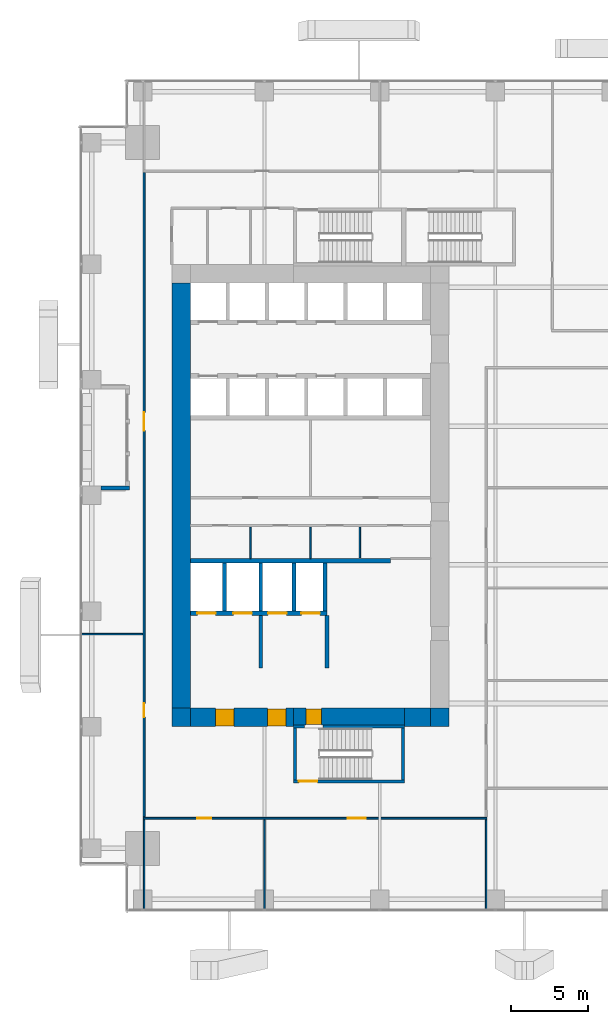
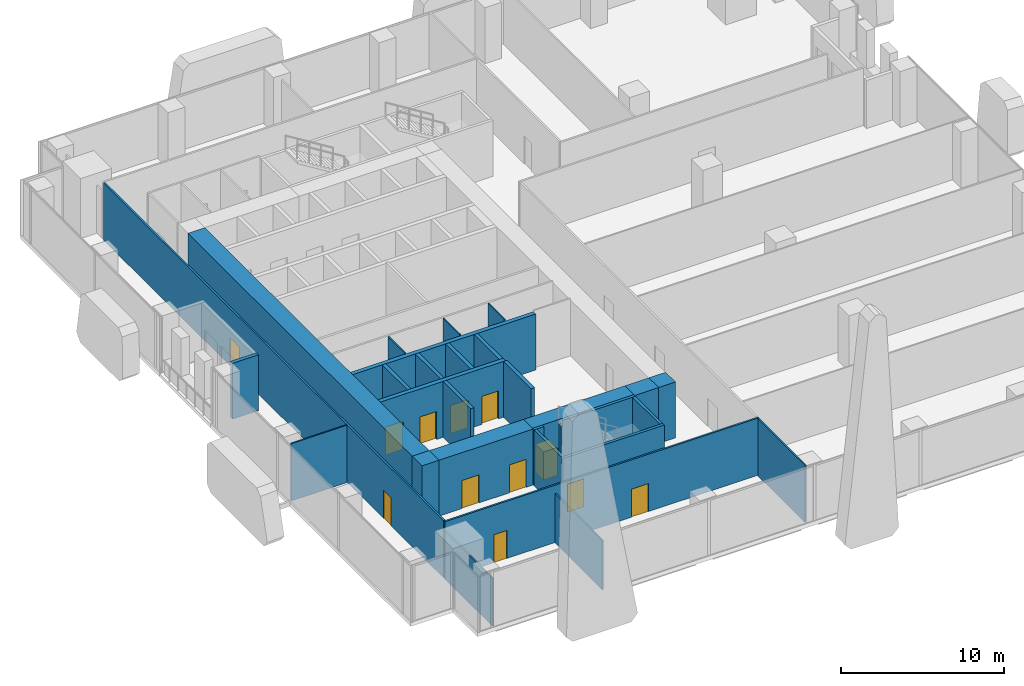
# One storey, part 27 of 35: 29 walls, 12 doors, 12 openings.
"""IFC4 building model written with IfcOpenShell, lengths in metres."""

from ifc_helpers import new_model, si_unit, direction, frame, frame_2d, origin, place, context, subcontext, project, spatial, rectangle, extrude, source, transform, mapped, material, layer, layer_set, type_object, element, fill, save


model = new_model("IFC4")

# Units and contexts
model_context = context("Model", 3, precision=1e-05, world=origin(), true_north=direction((0.0, 1.0)))
body_context = subcontext(model_context, "Body", "Model", "MODEL_VIEW")
ifc_project = project(units=[si_unit("LENGTHUNIT", "METRE"), si_unit("AREAUNIT", "SQUARE_METRE"), si_unit("VOLUMEUNIT", "CUBIC_METRE"), si_unit("PLANEANGLEUNIT", "RADIAN"), si_unit("MASSUNIT", "GRAM", prefix="KILO")], contexts=[model_context])

# Site, building, storey
site_placement = place(None, origin())
site = spatial("IfcSite", under=ifc_project, at=site_placement, CompositionType="ELEMENT")
building_placement = place(site_placement, origin())
building = spatial("IfcBuilding", under=site, at=building_placement, Name="Khomas Fold Tower", CompositionType="ELEMENT")
storey_placement = place(building_placement, frame((0.0, 0.0, 69.0)))
storey = spatial("IfcBuildingStorey", under=building, at=storey_placement, Name="L14", CompositionType="ELEMENT", Elevation=69.0)

# Wall, openings, doors
ifc_material_1 = material(Name="Concrete C70/85", Category="concrete")
ifc_layer_1 = layer(ifc_material_1, 1.199951171875)
ifc_layer_set_1 = layer_set([ifc_layer_1], Name="Concrete C70/85")
wall_type_1 = type_object("IfcWallType", Name="Core wall 1200", PredefinedType="SHEAR", material=ifc_layer_set_1)
shared_shape_1 = source(origin(), body_context, "Body", "SweptSolid", [
    extrude(rectangle(XDim=6.699951171875, YDim=1.199951171875, at=frame_2d((3.35009765625, 0.0))), origin(), (0.0, 0.0, 1.0), 4.199951171875),
])
wall_1_placement = place(storey_placement, frame((7.199951171875, 12.60009765625, 0.0), z_axis=(0.0, 0.0, 1.0), x_axis=(1.0, 0.0, 0.0)))
wall_1 = element("IfcWall", 1, at=wall_1_placement, inside=storey, type_object=wall_type_1, Name="Core wall CW-L-S-B2", PredefinedType="SHEAR", context=body_context, shape_type="MappedRepresentation", body=[
    mapped(shared_shape_1, transform((0.0, 0.0, 0.0))),
])
shared_shape_2 = source(origin(), body_context, "Body", "SweptSolid", [
    extrude(rectangle(XDim=1.199951171875, YDim=2.10009765625, at=frame_2d((0.60009765625, 1.050048828125))), frame((0.0, 0.60986328125, 0.0), z_axis=(0.0, -1.0, 0.0), x_axis=(1.0, 0.0, 0.0)), (0.0, 0.0, 1.0), 1.219970703125),
])
opening_1_placement = place(wall_1_placement, frame((5.0, 0.0, 0.0)))
opening_1 = element("IfcOpeningElement", 2, at=opening_1_placement, cuts=wall_1, Name="Opening 0009", PredefinedType="OPENING", context=body_context, shape_type="MappedRepresentation", body=[
    mapped(shared_shape_2, transform((0.0, 0.0, 0.0))),
])
opening_2_placement = place(wall_1_placement, frame((1.64990234375, 0.0, 0.0)))
opening_2 = element("IfcOpeningElement", 3, at=opening_2_placement, cuts=wall_1, Name="Opening 0009", PredefinedType="OPENING", context=body_context, shape_type="MappedRepresentation", body=[
    mapped(shared_shape_2, transform((0.0, 0.0, 0.0))),
])
ifc_material_2 = material(Name="Steel door leaf", Category="steel")
door_type_1 = type_object("IfcDoorType", Name="Lobby door 1200x2100 right-hand", OperationType="SINGLE_SWING_RIGHT", PredefinedType="DOOR", material=ifc_material_2)
shared_shape_3 = source(origin(), body_context, "Body", "SweptSolid", [
    extrude(rectangle(XDim=1.199951171875, YDim=2.10009765625, at=frame_2d((0.60009765625, 1.050048828125))), frame((0.0, 0.5498046875, 0.0), z_axis=(0.0, -1.0, 0.0), x_axis=(1.0, 0.0, 0.0)), (0.0, 0.0, 1.0), 1.099853515625),
])
door_1_placement = place(opening_1_placement, origin())
door_1 = element("IfcDoor", 4, at=door_1_placement, inside=storey, type_object=door_type_1, Name="Lobby door", OperationType="SINGLE_SWING_RIGHT", OverallHeight=2.10009765625, OverallWidth=1.199951171875, PredefinedType="DOOR", context=body_context, shape_type="MappedRepresentation", body=[
    mapped(shared_shape_3, transform((0.0, 0.0, 0.0))),
])
fill(opening_1, door_1)
door_2_placement = place(opening_2_placement, origin())
door_2 = element("IfcDoor", 5, at=door_2_placement, inside=storey, type_object=door_type_1, Name="Lobby door", OperationType="SINGLE_SWING_RIGHT", OverallHeight=2.10009765625, OverallWidth=1.199951171875, PredefinedType="DOOR", context=body_context, shape_type="MappedRepresentation", body=[
    mapped(shared_shape_3, transform((0.0, 0.0, 0.0))),
])
fill(opening_2, door_2)

# Walls
ifc_material_3 = material(Name="Concrete C70/85", Category="concrete")
ifc_layer_2 = layer(ifc_material_3, 1.199951171875)
ifc_layer_set_2 = layer_set([ifc_layer_2], Name="Concrete C70/85")
wall_type_2 = type_object("IfcWallType", Name="Core corner wall 1200", PredefinedType="SHEAR", material=ifc_layer_set_2)
shared_shape_4 = source(origin(), body_context, "Body", "SweptSolid", [
    extrude(rectangle(XDim=1.199951171875, YDim=1.199951171875, at=frame_2d((0.60009765625, 0.0))), origin(), (0.0, 0.0, 1.0), 4.199951171875),
])
for number, where, z_axis, x_axis, name in (
    (6, (22.800048828125, 12.60009765625, 0.0), (0.0, 0.0, 1.0), (1.0, 0.0, 0.0), "Core wall CW-L-SE-B2"),
    (7, (6.0, 12.60009765625, 0.0), (0.0, 0.0, 1.0), (1.0, 0.0, 0.0), "Core wall CW-L-SW-B2"),
):
    element("IfcWall", number, at=place(storey_placement, frame(where, z_axis=z_axis, x_axis=x_axis)), inside=storey, type_object=wall_type_2, Name=name, PredefinedType="SHEAR", context=body_context, shape_type="MappedRepresentation", body=[
        mapped(shared_shape_4, transform((0.0, 0.0, 0.0))),
    ])

# Wall, opening, door
ifc_material_4 = material(Name="Concrete C70/85", Category="concrete")
ifc_layer_3 = layer(ifc_material_4, 1.10009765625)
ifc_layer_set_3 = layer_set([ifc_layer_3], Name="Concrete C70/85")
wall_type_3 = type_object("IfcWallType", Name="Core wall 1100", PredefinedType="SHEAR", material=ifc_layer_set_3)
shared_shape_5 = source(origin(), body_context, "Body", "SweptSolid", [
    extrude(rectangle(XDim=7.2001953125, YDim=1.10009765625, at=frame_2d((3.60009765625, 0.0))), origin(), (0.0, 0.0, 1.0), 4.199951171875),
])
wall_2_placement = place(storey_placement, frame((13.89990234375, 12.64990234375, 0.0), z_axis=(0.0, 0.0, 1.0), x_axis=(1.0, 0.0, 0.0)))
wall_2 = element("IfcWall", 8, at=wall_2_placement, inside=storey, type_object=wall_type_3, Name="Core wall CW-L-S-B2-1", PredefinedType="SHEAR", context=body_context, shape_type="MappedRepresentation", body=[
    mapped(shared_shape_5, transform((0.0, 0.0, 0.0))),
])
shared_shape_6 = source(origin(), body_context, "Body", "SweptSolid", [
    extrude(rectangle(XDim=1.0, YDim=2.10009765625, at=frame_2d((0.5, 1.050048828125))), frame((0.0, 0.56005859375, 0.0), z_axis=(0.0, -1.0, 0.0), x_axis=(1.0, 0.0, 0.0)), (0.0, 0.0, 1.0), 1.1201171875),
])
opening_3_placement = place(wall_2_placement, frame((0.800048828125, 0.0, 0.0)))
opening_3 = element("IfcOpeningElement", 9, at=opening_3_placement, cuts=wall_2, Name="Opening 0010", PredefinedType="OPENING", context=body_context, shape_type="MappedRepresentation", body=[
    mapped(shared_shape_6, transform((0.0, 0.0, 0.0))),
])
ifc_material_5 = material(Name="Steel door leaf", Category="steel")
door_type_2 = type_object("IfcDoorType", Name="Stair door 1000x2100 right-hand", OperationType="SINGLE_SWING_RIGHT", PredefinedType="DOOR", material=ifc_material_5)
shared_shape_7 = source(origin(), body_context, "Body", "SweptSolid", [
    extrude(rectangle(XDim=1.0, YDim=2.10009765625, at=frame_2d((0.5, 1.050048828125))), frame((0.0, 0.5, 0.0), z_axis=(0.0, -1.0, 0.0), x_axis=(1.0, 0.0, 0.0)), (0.0, 0.0, 1.0), 1.0),
])
door_3_placement = place(opening_3_placement, origin())
door_3 = element("IfcDoor", 10, at=door_3_placement, inside=storey, type_object=door_type_2, Name="Stair door", OperationType="SINGLE_SWING_RIGHT", OverallHeight=2.10009765625, OverallWidth=1.0, PredefinedType="DOOR", context=body_context, shape_type="MappedRepresentation", body=[
    mapped(shared_shape_7, transform((0.0, 0.0, 0.0))),
])
fill(opening_3, door_3)

# Walls
shared_shape_8 = source(origin(), body_context, "Body", "SweptSolid", [
    extrude(rectangle(XDim=1.699951171875, YDim=1.199951171875, at=frame_2d((0.85009765625, 0.0))), origin(), (0.0, 0.0, 1.0), 4.199951171875),
])
wall_3_placement = place(storey_placement, frame((21.10009765625, 12.60009765625, 0.0), z_axis=(0.0, 0.0, 1.0), x_axis=(1.0, 0.0, 0.0)))
element("IfcWall", 11, at=wall_3_placement, inside=storey, type_object=wall_type_1, Name="Core wall CW-L-S-B2-2", PredefinedType="SHEAR", context=body_context, shape_type="MappedRepresentation", body=[
    mapped(shared_shape_8, transform((0.0, 0.0, 0.0))),
])
shared_shape_9 = source(origin(), body_context, "Body", "SweptSolid", [
    extrude(rectangle(XDim=27.60009765625, YDim=1.199951171875, at=frame_2d((13.800048828125, 0.0))), origin(), (0.0, 0.0, 1.0), 4.199951171875),
])
wall_4_placement = place(storey_placement, frame((6.60009765625, 13.199951171875, 0.0), z_axis=(0.0, 0.0, 1.0), x_axis=(0.0, 1.0, 0.0)))
element("IfcWall", 12, at=wall_4_placement, inside=storey, type_object=wall_type_1, Name="Core wall CW-L-W-B2", PredefinedType="SHEAR", context=body_context, shape_type="MappedRepresentation", body=[
    mapped(shared_shape_9, transform((0.0, 0.0, 0.0))),
])
ifc_material_6 = material(Name="Concrete C50/60", Category="concrete")
ifc_layer_4 = layer(ifc_material_6, 0.199951171875)
ifc_layer_set_4 = layer_set([ifc_layer_4], Name="Concrete C50/60")
wall_type_4 = type_object("IfcWallType", Name="Stair wall 200", PredefinedType="SHEAR", material=ifc_layer_set_4)
shared_shape_10 = source(origin(), body_context, "Body", "SweptSolid", [
    extrude(rectangle(XDim=0.7001953125, YDim=0.199951171875, at=frame_2d((0.35009765625, 0.0))), origin(), (0.0, 0.0, 1.0), 4.199951171875),
])
wall_5_placement = place(storey_placement, frame((13.89990234375, 12.0, 0.0), z_axis=(0.0, 0.0, 1.0), x_axis=(1.0, 0.0, 0.0)))
element("IfcWall", 13, at=wall_5_placement, inside=storey, type_object=wall_type_4, Name="Stair wall SW-ST2-N", PredefinedType="SHEAR", context=body_context, shape_type="MappedRepresentation", body=[
    mapped(shared_shape_10, transform((0.0, 0.0, 0.0))),
])
shared_shape_11 = source(origin(), body_context, "Body", "SweptSolid", [
    extrude(rectangle(XDim=5.300048828125, YDim=0.199951171875, at=frame_2d((2.64990234375, 0.0))), origin(), (0.0, 0.0, 1.0), 4.199951171875),
])
wall_6_placement = place(storey_placement, frame((15.800048828125, 12.0, 0.0), z_axis=(0.0, 0.0, 1.0), x_axis=(1.0, 0.0, 0.0)))
element("IfcWall", 14, at=wall_6_placement, inside=storey, type_object=wall_type_4, Name="Stair wall SW-ST2-NB", PredefinedType="SHEAR", context=body_context, shape_type="MappedRepresentation", body=[
    mapped(shared_shape_11, transform((0.0, 0.0, 0.0))),
])

# Wall, opening, door
shared_shape_12 = source(origin(), body_context, "Body", "SweptSolid", [
    extrude(rectangle(XDim=7.2001953125, YDim=0.199951171875, at=frame_2d((3.60009765625, 0.0))), origin(), (0.0, 0.0, 1.0), 4.199951171875),
])
wall_7_placement = place(storey_placement, frame((13.89990234375, 8.449951171875, 0.0), z_axis=(0.0, 0.0, 1.0), x_axis=(1.0, 0.0, 0.0)))
wall_7 = element("IfcWall", 15, at=wall_7_placement, inside=storey, type_object=wall_type_4, Name="Stair wall SW-ST2-S", PredefinedType="SHEAR", context=body_context, shape_type="MappedRepresentation", body=[
    mapped(shared_shape_12, transform((0.0, 0.0, 0.0))),
])
shared_shape_13 = source(origin(), body_context, "Body", "SweptSolid", [
    extrude(rectangle(XDim=1.199951171875, YDim=2.10009765625, at=frame_2d((0.60009765625, 1.050048828125))), frame((0.0, 0.10986328125, 0.0), z_axis=(0.0, -1.0, 0.0), x_axis=(1.0, 0.0, 0.0)), (0.0, 0.0, 1.0), 0.219970703125),
])
opening_4_placement = place(wall_7_placement, frame((0.35009765625, 0.0, 0.0)))
opening_4 = element("IfcOpeningElement", 16, at=opening_4_placement, cuts=wall_7, Name="Opening SD-ST2", PredefinedType="OPENING", context=body_context, shape_type="MappedRepresentation", body=[
    mapped(shared_shape_13, transform((0.0, 0.0, 0.0))),
])
ifc_material_7 = material(Name="Steel door leaf", Category="steel")
door_type_3 = type_object("IfcDoorType", Name="Stair door 1200x2100 right-hand", OperationType="SINGLE_SWING_RIGHT", PredefinedType="DOOR", material=ifc_material_7)
shared_shape_14 = source(origin(), body_context, "Body", "SweptSolid", [
    extrude(rectangle(XDim=1.199951171875, YDim=2.10009765625, at=frame_2d((0.60009765625, 1.050048828125))), frame((0.0, 0.02490234375, 0.0), z_axis=(0.0, -1.0, 0.0), x_axis=(1.0, 0.0, 0.0)), (0.0, 0.0, 1.0), 0.050048828125),
])
door_4_placement = place(opening_4_placement, origin())
door_4 = element("IfcDoor", 17, at=door_4_placement, inside=storey, type_object=door_type_3, Name="Stair door", OperationType="SINGLE_SWING_RIGHT", OverallHeight=2.10009765625, OverallWidth=1.199951171875, PredefinedType="DOOR", context=body_context, shape_type="MappedRepresentation", body=[
    mapped(shared_shape_14, transform((0.0, 0.0, 0.0))),
])
fill(opening_4, door_4)

# Walls
shared_shape_15 = source(origin(), body_context, "Body", "SweptSolid", [
    extrude(rectangle(XDim=3.349853515625, YDim=0.199951171875, at=frame_2d((1.6748046875, 0.0))), origin(), (0.0, 0.0, 1.0), 4.199951171875),
])
for number, where, z_axis, x_axis, name in (
    (18, (21.0, 8.550048828125, 0.0), (0.0, 0.0, 1.0), (0.0, 1.0, 0.0), "Stair wall SW-ST2-E"),
    (19, (14.0, 8.550048828125, 0.0), (0.0, 0.0, 1.0), (0.0, 1.0, 0.0), "Stair wall SW-ST2-W"),
):
    element("IfcWall", number, at=place(storey_placement, frame(where, z_axis=z_axis, x_axis=x_axis)), inside=storey, type_object=wall_type_4, Name=name, PredefinedType="SHEAR", context=body_context, shape_type="MappedRepresentation", body=[
        mapped(shared_shape_15, transform((0.0, 0.0, 0.0))),
    ])
ifc_material_8 = material(Name="Concrete C50/60", Category="concrete")
ifc_layer_5 = layer(ifc_material_8, 0.300048828125)
ifc_layer_set_5 = layer_set([ifc_layer_5], Name="Concrete C50/60")
wall_type_5 = type_object("IfcWallType", Name="Shaft wall 300", PredefinedType="STANDARD", material=ifc_layer_set_5)
shared_shape_16 = source(origin(), body_context, "Body", "SweptSolid", [
    extrude(rectangle(XDim=13.0, YDim=0.300048828125, at=frame_2d((6.5, 0.0))), origin(), (0.0, 0.0, 1.0), 4.199951171875),
])
wall_8_placement = place(storey_placement, frame((7.199951171875, 22.75, 0.0), z_axis=(0.0, 0.0, 1.0), x_axis=(1.0, 0.0, 0.0)))
element("IfcWall", 20, at=wall_8_placement, inside=storey, type_object=wall_type_5, Name="Core wall SW-FS-B", PredefinedType="STANDARD", context=body_context, shape_type="MappedRepresentation", body=[
    mapped(shared_shape_16, transform((0.0, 0.0, 0.0))),
])

# Wall, openings, doors
shared_shape_17 = source(origin(), body_context, "Body", "SweptSolid", [
    extrude(rectangle(XDim=8.875, YDim=0.300048828125, at=frame_2d((4.4375, 0.0))), origin(), (0.0, 0.0, 1.0), 4.199951171875),
])
wall_9_placement = place(storey_placement, frame((7.199951171875, 19.35009765625, 0.0), z_axis=(0.0, 0.0, 1.0), x_axis=(1.0, 0.0, 0.0)))
wall_9 = element("IfcWall", 21, at=wall_9_placement, inside=storey, type_object=wall_type_5, Name="Core wall SW-FS-F", PredefinedType="STANDARD", context=body_context, shape_type="MappedRepresentation", body=[
    mapped(shared_shape_17, transform((0.0, 0.0, 0.0))),
])
shared_shape_18 = source(origin(), body_context, "Body", "SweptSolid", [
    extrude(rectangle(XDim=1.199951171875, YDim=2.10009765625, at=frame_2d((0.60009765625, 1.050048828125))), frame((0.0, 0.159912109375, 0.0), z_axis=(0.0, -1.0, 0.0), x_axis=(1.0, 0.0, 0.0)), (0.0, 0.0, 1.0), 0.320068359375),
])
opening_5_placement = place(wall_9_placement, frame((0.449951171875, 0.0, 0.0)))
opening_5 = element("IfcOpeningElement", 22, at=opening_5_placement, cuts=wall_9, Name="Opening LD-SV1", PredefinedType="OPENING", context=body_context, shape_type="MappedRepresentation", body=[
    mapped(shared_shape_18, transform((0.0, 0.0, 0.0))),
])
opening_6_placement = place(wall_9_placement, frame((2.800048828125, 0.0, 0.0)))
opening_6 = element("IfcOpeningElement", 23, at=opening_6_placement, cuts=wall_9, Name="Opening LD-SV2", PredefinedType="OPENING", context=body_context, shape_type="MappedRepresentation", body=[
    mapped(shared_shape_18, transform((0.0, 0.0, 0.0))),
])
opening_7_placement = place(wall_9_placement, frame((5.050048828125, 0.0, 0.0)))
opening_7 = element("IfcOpeningElement", 24, at=opening_7_placement, cuts=wall_9, Name="Opening LD-FF1", PredefinedType="OPENING", context=body_context, shape_type="MappedRepresentation", body=[
    mapped(shared_shape_18, transform((0.0, 0.0, 0.0))),
])
opening_8_placement = place(wall_9_placement, frame((7.199951171875, 0.0, 0.0)))
opening_8 = element("IfcOpeningElement", 25, at=opening_8_placement, cuts=wall_9, Name="Opening LD-FF2", PredefinedType="OPENING", context=body_context, shape_type="MappedRepresentation", body=[
    mapped(shared_shape_18, transform((0.0, 0.0, 0.0))),
])
ifc_material_9 = material(Name="Steel door leaf", Category="steel")
door_type_4 = type_object("IfcDoorType", Name="Landing door 1200x2100", OperationType="DOUBLE_DOOR_SLIDING", PredefinedType="DOOR", material=ifc_material_9)
door_5_placement = place(opening_5_placement, origin())
door_5 = element("IfcDoor", 26, at=door_5_placement, inside=storey, type_object=door_type_4, Name="Lift landing door", OperationType="DOUBLE_DOOR_SLIDING", OverallHeight=2.10009765625, OverallWidth=1.199951171875, PredefinedType="DOOR", context=body_context, shape_type="MappedRepresentation", body=[
    mapped(shared_shape_14, transform((0.0, 0.0, 0.0))),
])
fill(opening_5, door_5)
door_6_placement = place(opening_6_placement, origin())
door_6 = element("IfcDoor", 27, at=door_6_placement, inside=storey, type_object=door_type_4, Name="Lift landing door", OperationType="DOUBLE_DOOR_SLIDING", OverallHeight=2.10009765625, OverallWidth=1.199951171875, PredefinedType="DOOR", context=body_context, shape_type="MappedRepresentation", body=[
    mapped(shared_shape_14, transform((0.0, 0.0, 0.0))),
])
fill(opening_6, door_6)
door_7_placement = place(opening_7_placement, origin())
door_7 = element("IfcDoor", 28, at=door_7_placement, inside=storey, type_object=door_type_4, Name="Lift landing door", OperationType="DOUBLE_DOOR_SLIDING", OverallHeight=2.10009765625, OverallWidth=1.199951171875, PredefinedType="DOOR", context=body_context, shape_type="MappedRepresentation", body=[
    mapped(shared_shape_14, transform((0.0, 0.0, 0.0))),
])
fill(opening_7, door_7)
door_8_placement = place(opening_8_placement, origin())
door_8 = element("IfcDoor", 29, at=door_8_placement, inside=storey, type_object=door_type_4, Name="Lift landing door", OperationType="DOUBLE_DOOR_SLIDING", OverallHeight=2.10009765625, OverallWidth=1.199951171875, PredefinedType="DOOR", context=body_context, shape_type="MappedRepresentation", body=[
    mapped(shared_shape_14, transform((0.0, 0.0, 0.0))),
])
fill(opening_8, door_8)

# Walls
ifc_material_10 = material(Name="Concrete C50/60", Category="concrete")
ifc_layer_6 = layer(ifc_material_10, 0.25)
ifc_layer_set_6 = layer_set([ifc_layer_6], Name="Concrete C50/60")
wall_type_6 = type_object("IfcWallType", Name="Shaft wall 250", PredefinedType="STANDARD", material=ifc_layer_set_6)
shared_shape_19 = source(origin(), body_context, "Body", "SweptSolid", [
    extrude(rectangle(XDim=3.10009765625, YDim=0.25, at=frame_2d((1.550048828125, 0.0))), origin(), (0.0, 0.0, 1.0), 4.199951171875),
])
for number, where, z_axis, x_axis, name in (
    (30, (9.425048828125, 19.5, 0.0), (0.0, 0.0, 1.0), (0.0, 1.0, 0.0), "Core wall SW-FS-P1"),
    (31, (11.77490234375, 19.5, 0.0), (0.0, 0.0, 1.0), (0.0, 1.0, 0.0), "Core wall SW-FS-P2"),
    (32, (13.925048828125, 19.5, 0.0), (0.0, 0.0, 1.0), (0.0, 1.0, 0.0), "Core wall SW-FS-P3"),
    (33, (15.949951171875, 19.5, 0.0), (0.0, 0.0, 1.0), (0.0, 1.0, 0.0), "Core wall SW-FS-PE"),
):
    element("IfcWall", number, at=place(storey_placement, frame(where, z_axis=z_axis, x_axis=x_axis)), inside=storey, type_object=wall_type_6, Name=name, PredefinedType="STANDARD", context=body_context, shape_type="MappedRepresentation", body=[
        mapped(shared_shape_19, transform((0.0, 0.0, 0.0))),
    ])
ifc_material_11 = material(Name="Concrete C50/60", Category="concrete")
ifc_layer_7 = layer(ifc_material_11, 0.25)
ifc_layer_set_7 = layer_set([ifc_layer_7], Name="Concrete C50/60")
wall_type_7 = type_object("IfcWallType", Name="Lobby wall 250", PredefinedType="STANDARD", material=ifc_layer_set_7)
shared_shape_20 = source(origin(), body_context, "Body", "SweptSolid", [
    extrude(rectangle(XDim=3.39990234375, YDim=0.25, at=frame_2d((1.699951171875, 0.0))), origin(), (0.0, 0.0, 1.0), 4.199951171875),
])
for number, where, z_axis, x_axis, name in (
    (34, (16.074951171875, 15.800048828125, 0.0), (0.0, 0.0, 1.0), (0.0, 1.0, 0.0), "Core wall SW-FS-LOB-E"),
    (35, (11.77490234375, 15.800048828125, 0.0), (0.0, 0.0, 1.0), (0.0, 1.0, 0.0), "Core wall SW-FS-SEP"),
):
    element("IfcWall", number, at=place(storey_placement, frame(where, z_axis=z_axis, x_axis=x_axis)), inside=storey, type_object=wall_type_7, Name=name, PredefinedType="STANDARD", context=body_context, shape_type="MappedRepresentation", body=[
        mapped(shared_shape_20, transform((0.0, 0.0, 0.0))),
    ])
ifc_material_12 = material(Name="Natural stone", Category="masonry")
ifc_layer_8 = layer(ifc_material_12, 0.0400390625)
ifc_material_13 = material(Name="Mineral wool insulation", Category="insulation")
ifc_layer_9 = layer(ifc_material_13, 0.10009765625)
ifc_material_14 = material(Name="Masonry", Category="masonry")
ifc_layer_10 = layer(ifc_material_14, 0.110107421875)
ifc_layer_set_8 = layer_set([ifc_layer_8, ifc_layer_9, ifc_layer_10], Name="Stone-faced insulated masonry")
wall_type_8 = type_object("IfcWallType", Name="BL-Balcony wall", PredefinedType="SOLIDWALL", material=ifc_layer_set_8)
shared_shape_21 = source(origin(), body_context, "Body", "SweptSolid", [
    extrude(rectangle(XDim=1.85009765625, YDim=0.25, at=frame_2d((0.925048828125, 0.0))), origin(), (0.0, 0.0, 1.0), 4.199951171875),
])
wall_10_placement = place(storey_placement, frame((1.39990234375, 27.47509765625, 0.0), z_axis=(0.0, 0.0, 1.0), x_axis=(1.0, 0.0, 0.0)))
element("IfcWall", 36, at=wall_10_placement, inside=storey, type_object=wall_type_8, Name="Balcony return wall BAL-L14-W3-lo", PredefinedType="SOLIDWALL", context=body_context, shape_type="MappedRepresentation", body=[
    mapped(shared_shape_21, transform((0.0, 0.0, 0.0))),
])
ifc_material_15 = material(Name="Plasterboard partition")
ifc_layer_11 = layer(ifc_material_15, 0.10009765625)
ifc_layer_set_9 = layer_set([ifc_layer_11], Name="Plasterboard partition")
wall_type_9 = type_object("IfcWallType", Name="Partition PW1 100", PredefinedType="PARTITIONING", material=ifc_layer_set_9)
shared_shape_22 = source(origin(), body_context, "Body", "SweptSolid", [
    extrude(rectangle(XDim=5.800048828125, YDim=0.10009765625, at=frame_2d((2.89990234375, 0.0))), origin(), (0.0, 0.0, 1.0), 3.60009765625),
])
wall_11_placement = place(storey_placement, frame((4.199951171875, 0.14990234375, 0.0), z_axis=(0.0, 0.0, 1.0), x_axis=(0.0, 1.0, 0.0)))
element("IfcWall", 37, at=wall_11_placement, inside=storey, type_object=wall_type_9, Name="Partition", PredefinedType="PARTITIONING", context=body_context, shape_type="MappedRepresentation", body=[
    mapped(shared_shape_22, transform((0.0, 0.0, 0.0))),
])
shared_shape_23 = source(origin(), body_context, "Body", "SweptSolid", [
    extrude(rectangle(XDim=5.800048828125, YDim=0.10009765625, at=frame_2d((2.89990234375, 0.0))), origin(), (0.0, 0.0, 1.0), 3.699951171875),
])
wall_12_placement = place(storey_placement, frame((12.0, 0.14990234375, 0.0), z_axis=(0.0, 0.0, 1.0), x_axis=(0.0, 1.0, 0.0)))
element("IfcWall", 38, at=wall_12_placement, inside=storey, type_object=wall_type_9, Name="Partition", PredefinedType="PARTITIONING", context=body_context, shape_type="MappedRepresentation", body=[
    mapped(shared_shape_23, transform((0.0, 0.0, 0.0))),
])
shared_shape_24 = source(origin(), body_context, "Body", "SweptSolid", [
    extrude(rectangle(XDim=3.9501953125, YDim=0.10009765625, at=frame_2d((1.97509765625, 0.0))), origin(), (0.0, 0.0, 1.0), 4.300048828125),
])
wall_13_placement = place(storey_placement, frame((0.14990234375, 18.0, 0.0), z_axis=(0.0, 0.0, 1.0), x_axis=(1.0, 0.0, 0.0)))
element("IfcWall", 39, at=wall_13_placement, inside=storey, type_object=wall_type_9, Name="Partition", PredefinedType="PARTITIONING", context=body_context, shape_type="MappedRepresentation", body=[
    mapped(shared_shape_24, transform((0.0, 0.0, 0.0))),
])
shared_shape_25 = source(origin(), body_context, "Body", "SweptSolid", [
    extrude(rectangle(XDim=5.800048828125, YDim=0.10009765625, at=frame_2d((2.89990234375, 0.0))), origin(), (0.0, 0.0, 1.0), 4.300048828125),
])
wall_14_placement = place(storey_placement, frame((26.39990234375, 0.14990234375, 0.0), z_axis=(0.0, 0.0, 1.0), x_axis=(0.0, 1.0, 0.0)))
element("IfcWall", 40, at=wall_14_placement, inside=storey, type_object=wall_type_9, Name="Partition", PredefinedType="PARTITIONING", context=body_context, shape_type="MappedRepresentation", body=[
    mapped(shared_shape_25, transform((0.0, 0.0, 0.0))),
])

# Wall, openings, doors
ifc_material_16 = material(Name="Plasterboard partition")
ifc_layer_12 = layer(ifc_material_16, 0.125)
ifc_layer_set_10 = layer_set([ifc_layer_12], Name="Plasterboard partition")
wall_type_10 = type_object("IfcWallType", Name="Partition PW2 125", PredefinedType="PARTITIONING", material=ifc_layer_set_10)
shared_shape_26 = source(origin(), body_context, "Body", "SweptSolid", [
    extrude(rectangle(XDim=22.300048828125, YDim=0.125, at=frame_2d((11.14990234375, 0.0))), origin(), (0.0, 0.0, 1.0), 4.300048828125),
])
wall_15_placement = place(storey_placement, frame((4.14990234375, 6.050048828125, 0.0), z_axis=(0.0, 0.0, 1.0), x_axis=(1.0, 0.0, 0.0)))
wall_15 = element("IfcWall", 41, at=wall_15_placement, inside=storey, type_object=wall_type_10, Name="Partition", PredefinedType="PARTITIONING", context=body_context, shape_type="MappedRepresentation", body=[
    mapped(shared_shape_26, transform((0.0, 0.0, 0.0))),
])
shared_shape_27 = source(origin(), body_context, "Body", "SweptSolid", [
    extrude(rectangle(XDim=0.89990234375, YDim=2.10009765625, at=frame_2d((0.449951171875, 1.050048828125))), frame((0.0, 0.072509765625, 0.0), z_axis=(0.0, -1.0, 0.0), x_axis=(1.0, 0.0, 0.0)), (0.0, 0.0, 1.0), 0.14501953125),
])
opening_9_placement = place(wall_15_placement, frame((3.5, 0.0, 0.0)))
opening_9 = element("IfcOpeningElement", 42, at=opening_9_placement, cuts=wall_15, Name="Opening 0007", PredefinedType="OPENING", context=body_context, shape_type="MappedRepresentation", body=[
    mapped(shared_shape_27, transform((0.0, 0.0, 0.0))),
])
shared_shape_28 = source(origin(), body_context, "Body", "SweptSolid", [
    extrude(rectangle(XDim=1.199951171875, YDim=2.10009765625, at=frame_2d((0.60009765625, 1.050048828125))), frame((0.0, 0.072509765625, 0.0), z_axis=(0.0, -1.0, 0.0), x_axis=(1.0, 0.0, 0.0)), (0.0, 0.0, 1.0), 0.14501953125),
])
opening_10_placement = place(wall_15_placement, frame((13.25, 0.0, 0.0)))
opening_10 = element("IfcOpeningElement", 43, at=opening_10_placement, cuts=wall_15, Name="Opening 0001", PredefinedType="OPENING", context=body_context, shape_type="MappedRepresentation", body=[
    mapped(shared_shape_28, transform((0.0, 0.0, 0.0))),
])
ifc_material_17 = material(Name="Timber door leaf", Category="wood")
door_type_5 = type_object("IfcDoorType", Name="Door 900x2100 left-hand", OperationType="SINGLE_SWING_LEFT", PredefinedType="DOOR", material=ifc_material_17)
shared_shape_29 = source(origin(), body_context, "Body", "SweptSolid", [
    extrude(rectangle(XDim=0.89990234375, YDim=2.10009765625, at=frame_2d((0.449951171875, 1.050048828125))), frame((0.0, 0.02490234375, 0.0), z_axis=(0.0, -1.0, 0.0), x_axis=(1.0, 0.0, 0.0)), (0.0, 0.0, 1.0), 0.050048828125),
])
door_9_placement = place(opening_9_placement, origin())
door_9 = element("IfcDoor", 44, at=door_9_placement, inside=storey, type_object=door_type_5, Name="Door", OperationType="SINGLE_SWING_LEFT", OverallHeight=2.10009765625, OverallWidth=0.89990234375, PredefinedType="DOOR", context=body_context, shape_type="MappedRepresentation", body=[
    mapped(shared_shape_29, transform((0.0, 0.0, 0.0))),
])
fill(opening_9, door_9)
ifc_material_18 = material(Name="Timber door leaf", Category="wood")
door_type_6 = type_object("IfcDoorType", Name="Door 1200x2100 right-hand", OperationType="SINGLE_SWING_RIGHT", PredefinedType="DOOR", material=ifc_material_18)
door_10_placement = place(opening_10_placement, origin())
door_10 = element("IfcDoor", 45, at=door_10_placement, inside=storey, type_object=door_type_6, Name="Door", OperationType="SINGLE_SWING_RIGHT", OverallHeight=2.10009765625, OverallWidth=1.199951171875, PredefinedType="DOOR", context=body_context, shape_type="MappedRepresentation", body=[
    mapped(shared_shape_14, transform((0.0, 0.0, 0.0))),
])
fill(opening_10, door_10)

shared_shape_30 = source(origin(), body_context, "Body", "SweptSolid", [
    extrude(rectangle(XDim=41.800048828125, YDim=0.125, at=frame_2d((20.89990234375, 0.0))), origin(), (0.0, 0.0, 1.0), 4.300048828125),
])
wall_16_placement = place(storey_placement, frame((4.199951171875, 6.14990234375, 0.0), z_axis=(0.0, 0.0, 1.0), x_axis=(0.0, 1.0, 0.0)))
wall_16 = element("IfcWall", 46, at=wall_16_placement, inside=storey, type_object=wall_type_10, Name="Partition", PredefinedType="PARTITIONING", context=body_context, shape_type="MappedRepresentation", body=[
    mapped(shared_shape_30, transform((0.0, 0.0, 0.0))),
])
opening_11_placement = place(wall_16_placement, frame((6.449951171875, 0.0, 0.0)))
opening_11 = element("IfcOpeningElement", 47, at=opening_11_placement, cuts=wall_16, Name="Opening 0008", PredefinedType="OPENING", context=body_context, shape_type="MappedRepresentation", body=[
    mapped(shared_shape_27, transform((0.0, 0.0, 0.0))),
])
opening_12_placement = place(wall_16_placement, frame((25.050048828125, 0.0, 0.0)))
opening_12 = element("IfcOpeningElement", 48, at=opening_12_placement, cuts=wall_16, Name="Opening 0001", PredefinedType="OPENING", context=body_context, shape_type="MappedRepresentation", body=[
    mapped(shared_shape_28, transform((0.0, 0.0, 0.0))),
])
ifc_material_19 = material(Name="Timber door leaf", Category="wood")
door_type_7 = type_object("IfcDoorType", Name="Door 900x2100 right-hand", OperationType="SINGLE_SWING_RIGHT", PredefinedType="DOOR", material=ifc_material_19)
door_11_placement = place(opening_11_placement, origin())
door_11 = element("IfcDoor", 49, at=door_11_placement, inside=storey, type_object=door_type_7, Name="Door", OperationType="SINGLE_SWING_RIGHT", OverallHeight=2.10009765625, OverallWidth=0.89990234375, PredefinedType="DOOR", context=body_context, shape_type="MappedRepresentation", body=[
    mapped(shared_shape_29, transform((0.0, 0.0, 0.0))),
])
fill(opening_11, door_11)
door_12_placement = place(opening_12_placement, origin())
door_12 = element("IfcDoor", 50, at=door_12_placement, inside=storey, type_object=door_type_6, Name="Door", OperationType="SINGLE_SWING_RIGHT", OverallHeight=2.10009765625, OverallWidth=1.199951171875, PredefinedType="DOOR", context=body_context, shape_type="MappedRepresentation", body=[
    mapped(shared_shape_14, transform((0.0, 0.0, 0.0))),
])
fill(opening_12, door_12)

# Walls
shared_shape_31 = source(origin(), body_context, "Body", "SweptSolid", [
    extrude(rectangle(XDim=2.050048828125, YDim=0.10009765625, at=frame_2d((1.02490234375, 0.0))), origin(), (0.0, 0.0, 1.0), 4.300048828125),
])
for number, where, z_axis, x_axis, name in (
    (51, (11.10009765625, 22.89990234375, 0.0), (0.0, 0.0, 1.0), (0.0, 1.0, 0.0), "Partition"),
    (52, (15.0, 22.89990234375, 0.0), (0.0, 0.0, 1.0), (0.0, 1.0, 0.0), "Partition"),
):
    element("IfcWall", number, at=place(storey_placement, frame(where, z_axis=z_axis, x_axis=x_axis)), inside=storey, type_object=wall_type_9, Name=name, PredefinedType="PARTITIONING", context=body_context, shape_type="MappedRepresentation", body=[
        mapped(shared_shape_31, transform((0.0, 0.0, 0.0))),
    ])
shared_shape_32 = source(origin(), body_context, "Body", "SweptSolid", [
    extrude(rectangle(XDim=2.0, YDim=0.10009765625, at=frame_2d((1.0, 0.0))), origin(), (0.0, 0.0, 1.0), 4.300048828125),
])
wall_17_placement = place(storey_placement, frame((18.199951171875, 22.949951171875, 0.0), z_axis=(0.0, 0.0, 1.0), x_axis=(0.0, 1.0, 0.0)))
element("IfcWall", 53, at=wall_17_placement, inside=storey, type_object=wall_type_9, Name="Partition", PredefinedType="PARTITIONING", context=body_context, shape_type="MappedRepresentation", body=[
    mapped(shared_shape_32, transform((0.0, 0.0, 0.0))),
])

save(model, "model.ifc")
